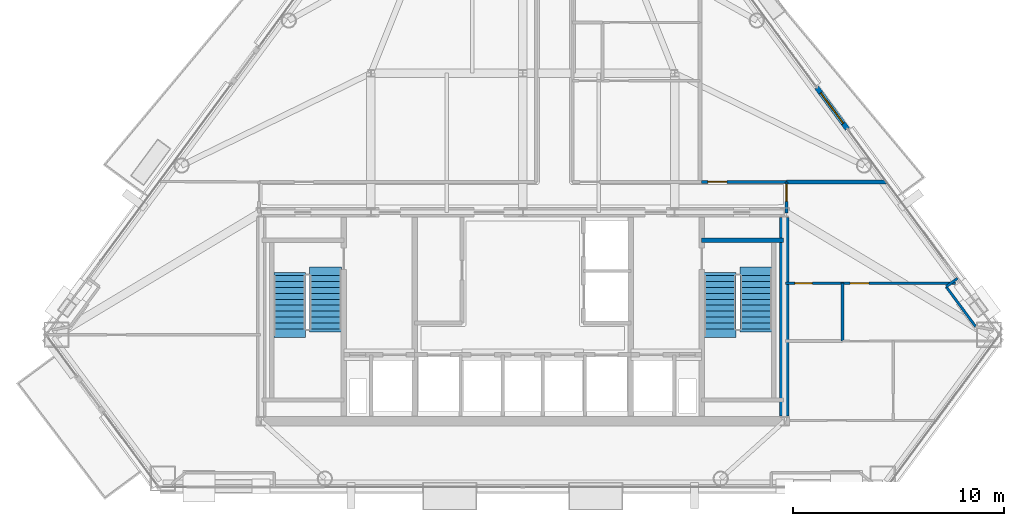
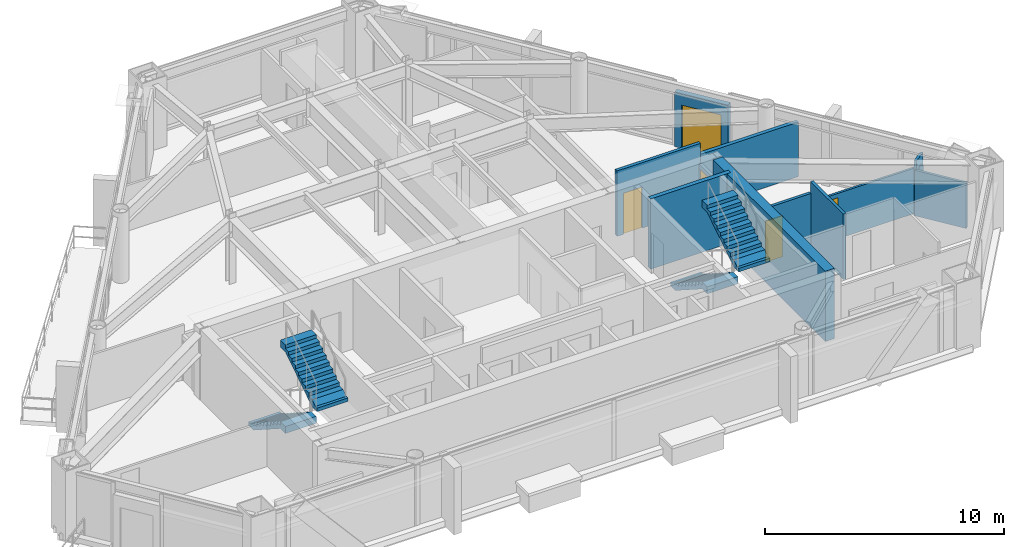
# One storey, part 9 of 11: 11 walls, 5 doors, 4 stair flights, 5 openings, 2 elements without a shape of their own.
"""IFC4 building model written with IfcOpenShell, lengths in metres."""

from ifc_helpers import new_model, si_unit, direction, frame, frame_2d, origin, place, context, subcontext, project, spatial, polyline, rectangle, outline, extrude, material, layer, layer_set, type_object, element, fill, aggregate, save


model = new_model("IFC4")

# Units and contexts
model_context = context("Model", 3, precision=1e-05, world=origin(), true_north=direction((0.0, 1.0)))
body_context = subcontext(model_context, "Body", "Model", "MODEL_VIEW")
ifc_project = project(units=[si_unit("LENGTHUNIT", "METRE"), si_unit("AREAUNIT", "SQUARE_METRE"), si_unit("VOLUMEUNIT", "CUBIC_METRE"), si_unit("PLANEANGLEUNIT", "RADIAN"), si_unit("MASSUNIT", "GRAM", prefix="KILO")], contexts=[model_context])

# Site, building, storey
site_placement = place(None, origin())
site = spatial("IfcSite", under=ifc_project, at=site_placement, CompositionType="ELEMENT")
building_placement = place(site_placement, origin())
building = spatial("IfcBuilding", under=site, at=building_placement, Name="Talgorran Terracotta Tower", CompositionType="ELEMENT")
storey_placement = place(building_placement, frame((0.0, 0.0, 129.300048828125)))
storey = spatial("IfcBuildingStorey", under=building, at=storey_placement, Name="L33", CompositionType="ELEMENT", Elevation=129.300048828125)

# Wall, opening, door
ifc_material_1 = material(Name="Concrete C40/50", Category="concrete")
ifc_layer_1 = layer(ifc_material_1, 0.239990234375, Name="WT_BALCONY_SPAND")
ifc_layer_set_1 = layer_set([ifc_layer_1], Name="Concrete C40/50")
wall_type_1 = type_object("IfcWallType", Name="WT_BALCONY_SPAND", PredefinedType="STANDARD", material=ifc_layer_set_1)
wall_1_placement = place(storey_placement, frame((15.38427734375, -0.24560546875, -0.01513671875), z_axis=(0.0, 0.0, 1.0), x_axis=(-0.594317914364, 0.804230201289, 0.0)))
wall_1 = element("IfcWall", 1, at=wall_1_placement, inside=storey, type_object=wall_type_1, Name="WL-L33-BALP-BAL-NE", PredefinedType="STANDARD", context=body_context, shape_type="SweptSolid", body=[
    extrude(rectangle(XDim=2.440185546875, YDim=0.239990234375, at=frame_2d((1.22021484375, 0.0))), origin(), (0.0, 0.0, 1.0), 2.80712890625),
])
opening_1_placement = place(wall_1_placement, frame((0.320068359375, 0.0, 0.014892578125)))
opening_1 = element("IfcOpeningElement", 2, at=opening_1_placement, cuts=wall_1, Name="Opening D-BAL-L33-1", PredefinedType="OPENING", context=body_context, shape_type="SweptSolid", body=[
    extrude(rectangle(XDim=1.806048828125, YDim=2.203951171875, at=frame_2d((0.89990234375, 1.10205078125))), frame((0.0, 0.1298828125, 0.0), z_axis=(0.0, -1.0, 0.0), x_axis=(1.0, 0.0, 0.0)), (0.0, 0.0, 1.0), 0.260009765625),
])
ifc_material_2 = material(Name="Thermally Broken Aluminium", Category="aluminium")
door_type_1 = type_object("IfcDoorType", Name="DT_BALC_1800", OperationType="SLIDING_TO_LEFT", PredefinedType="DOOR", material=ifc_material_2)
door_1_placement = place(opening_1_placement, origin())
door_1 = element("IfcDoor", 3, at=door_1_placement, inside=storey, type_object=door_type_1, Name="DR-L33-BAL-BAL-NE", OperationType="SLIDING_TO_LEFT", OverallHeight=2.199951171875, OverallWidth=1.800048828125, PredefinedType="DOOR", context=body_context, shape_type="SweptSolid", body=[
    extrude(rectangle(XDim=1.800048828125, YDim=2.199951171875, at=frame_2d((0.89990234375, 1.10009765625))), frame((0.0, 0.02490234375, 0.0), z_axis=(0.0, -1.0, 0.0), x_axis=(1.0, 0.0, 0.0)), (0.0, 0.0, 1.0), 0.050048828125),
])
fill(opening_1, door_1)

# Walls
ifc_material_3 = material(Name="Concrete C50/60", Category="concrete")
ifc_layer_2 = layer(ifc_material_3, 0.199951171875, Name="WT_CORE_200")
ifc_layer_set_2 = layer_set([ifc_layer_2], Name="Concrete C50/60")
wall_type_2 = type_object("IfcWallType", Name="WT_CORE_200", PredefinedType="SOLIDWALL", material=ifc_layer_set_2)
wall_2_placement = place(storey_placement, frame((8.47998046875, -5.52001953125, 0.0), z_axis=(0.0, 0.0, 1.0), x_axis=(1.0, 0.0, 0.0)))
element("IfcWall", 4, at=wall_2_placement, inside=storey, type_object=wall_type_2, Name="WL-L33-CW-ST2-N", PredefinedType="SOLIDWALL", context=body_context, shape_type="SweptSolid", body=[
    extrude(rectangle(XDim=3.8701171875, YDim=0.199951171875, at=frame_2d((1.93505859375, 0.0))), origin(), (0.0, 0.0, 1.0), 3.599853515625),
])
ifc_material_4 = material(Name="Concrete C65/80", Category="concrete")
ifc_layer_3 = layer(ifc_material_4, 0.449951171875, Name="WT_CORE_EXT")
ifc_layer_set_3 = layer_set([ifc_layer_3], Name="Concrete C65/80")
wall_type_3 = type_object("IfcWallType", Name="WT_CORE_EXT", PredefinedType="SHEAR", material=ifc_layer_set_3)
wall_3_placement = place(storey_placement, frame((12.39990234375, -13.85009765625, 0.0), z_axis=(0.0, 0.0, 1.0), x_axis=(0.0, 1.0, 0.0)))
element("IfcWall", 5, at=wall_3_placement, inside=storey, type_object=wall_type_3, Name="WL-L33-CW-OUT-E", PredefinedType="SHEAR", context=body_context, shape_type="SweptSolid", body=[
    extrude(rectangle(XDim=9.400146484375, YDim=0.449951171875, at=frame_2d((4.7001953125, 0.0))), origin(), (0.0, 0.0, 1.0), 3.599853515625),
])

# Wall, opening, door
ifc_material_5 = material(Name="Fire-Rated Steel Stud Plasterboard", Category="steel")
ifc_layer_4 = layer(ifc_material_5, 0.14990234375, Name="WT_FIRE_150")
ifc_layer_set_4 = layer_set([ifc_layer_4], Name="Fire-Rated Steel Stud Plasterboard")
wall_type_4 = type_object("IfcWallType", Name="WT_FIRE_150", PredefinedType="PARTITIONING", material=ifc_layer_set_4)
wall_4_placement = place(storey_placement, frame((8.4619140625, -2.760009765625, 0.0), z_axis=(0.0, 0.0, 1.0), x_axis=(1.0, 0.0, 0.0)))
wall_4 = element("IfcWall", 6, at=wall_4_placement, inside=storey, type_object=wall_type_4, Name="WL-L33-W-L33-R12", PredefinedType="PARTITIONING", context=body_context, shape_type="SweptSolid", body=[
    extrude(rectangle(XDim=4.0380859375, YDim=0.14990234375, at=frame_2d((2.01904296875, 0.0))), origin(), (0.0, 0.0, 1.0), 3.349853515625),
])
opening_2_placement = place(wall_4_placement, frame((0.31591796875, 0.0, 0.0)))
opening_2 = element("IfcOpeningElement", 7, at=opening_2_placement, cuts=wall_4, Name="Opening DR-L33-R13", PredefinedType="OPENING", context=body_context, shape_type="SweptSolid", body=[
    extrude(rectangle(XDim=0.90590234375, YDim=2.10409765625, at=frame_2d((0.449951171875, 1.052001953125))), frame((0.0, 0.0849609375, 0.0), z_axis=(0.0, -1.0, 0.0), x_axis=(1.0, 0.0, 0.0)), (0.0, 0.0, 1.0), 0.169921875),
])
ifc_material_6 = material(Name="Fire-Rated Timber Core", Category="wood")
door_type_2 = type_object("IfcDoorType", Name="DT_FIRE_900", OperationType="NOTDEFINED", PredefinedType="DOOR", material=ifc_material_6)
door_2_placement = place(opening_2_placement, origin())
door_2 = element("IfcDoor", 8, at=door_2_placement, inside=storey, type_object=door_type_2, Name="DR-L33-R13", OperationType="SINGLE_SWING_LEFT", OverallHeight=2.10009765625, OverallWidth=0.89990234375, PredefinedType="DOOR", context=body_context, shape_type="SweptSolid", body=[
    extrude(rectangle(XDim=0.89990234375, YDim=2.10009765625, at=frame_2d((0.449951171875, 1.050048828125))), frame((0.0, 0.02490234375, 0.0), z_axis=(0.0, -1.0, 0.0), x_axis=(1.0, 0.0, 0.0)), (0.0, 0.0, 1.0), 0.050048828125),
])
fill(opening_2, door_2)

wall_5_placement = place(storey_placement, frame((12.5, -4.239990234375, 0.0), z_axis=(0.0, 0.0, 1.0), x_axis=(0.0, 1.0, 0.0)))
wall_5 = element("IfcWall", 9, at=wall_5_placement, inside=storey, type_object=wall_type_4, Name="WL-L33-W-L33-R01", PredefinedType="PARTITIONING", context=body_context, shape_type="SweptSolid", body=[
    extrude(rectangle(XDim=1.47998046875, YDim=0.14990234375, at=frame_2d((0.739990234375, 0.0))), origin(), (0.0, 0.0, 1.0), 2.324951171875),
])
opening_3_placement = place(wall_5_placement, frame((0.56005859375, 0.0, 0.0)))
opening_3 = element("IfcOpeningElement", 10, at=opening_3_placement, cuts=wall_5, Name="Opening DR-L33-R01", PredefinedType="OPENING", context=body_context, shape_type="SweptSolid", body=[
    extrude(rectangle(XDim=0.826068359375, YDim=2.10409765625, at=frame_2d((0.41015625, 1.052001953125))), frame((0.0, 0.0849609375, 0.0), z_axis=(0.0, -1.0, 0.0), x_axis=(1.0, 0.0, 0.0)), (0.0, 0.0, 1.0), 0.169921875),
])
ifc_material_7 = material(Name="Moisture-Resistant Solid Timber", Category="wood")
door_type_3 = type_object("IfcDoorType", Name="DT_INT_820", OperationType="NOTDEFINED", PredefinedType="DOOR", material=ifc_material_7)
door_3_placement = place(opening_3_placement, origin())
door_3 = element("IfcDoor", 11, at=door_3_placement, inside=storey, type_object=door_type_3, Name="DR-L33-R01", OperationType="SINGLE_SWING_LEFT", OverallHeight=2.10009765625, OverallWidth=0.820068359375, PredefinedType="DOOR", context=body_context, shape_type="SweptSolid", body=[
    extrude(rectangle(XDim=0.820068359375, YDim=2.10009765625, at=frame_2d((0.41015625, 1.050048828125))), frame((0.0, 0.02490234375, 0.0), z_axis=(0.0, -1.0, 0.0), x_axis=(1.0, 0.0, 0.0)), (0.0, 0.0, 1.0), 0.050048828125),
])
fill(opening_3, door_3)

# Wall
ifc_material_8 = material(Name="Acoustic Stud and Plasterboard")
ifc_layer_5 = layer(ifc_material_8, 0.179931640625, Name="WT_PARTY_200")
ifc_layer_set_5 = layer_set([ifc_layer_5], Name="Acoustic Stud and Plasterboard")
wall_type_5 = type_object("IfcWallType", Name="WT_PARTY_200", PredefinedType="PARTITIONING", material=ifc_layer_set_5)
wall_6_placement = place(storey_placement, frame((12.5, -2.760009765625, 0.0), z_axis=(0.0, 0.0, 1.0), x_axis=(1.0, 0.0, 0.0)))
element("IfcWall", 12, at=wall_6_placement, inside=storey, type_object=wall_type_5, Name="WL-L33-W-L33-R16", PredefinedType="PARTITIONING", context=body_context, shape_type="SweptSolid", body=[
    extrude(rectangle(XDim=4.74267578125, YDim=0.179931640625, at=frame_2d((2.371337890625, 0.0))), origin(), (0.0, 0.0, 1.0), 2.7919921875),
])

# Wall, opening, door
ifc_material_9 = material(Name="Lightweight Steel Stud Partition", Category="steel")
ifc_layer_6 = layer(ifc_material_9, 0.10498046875, Name="WT_PART_110")
ifc_layer_set_6 = layer_set([ifc_layer_6], Name="Lightweight Steel Stud Partition")
wall_type_6 = type_object("IfcWallType", Name="WT_PART_110", PredefinedType="PARTITIONING", material=ifc_layer_set_6)
wall_7_placement = place(storey_placement, frame((15.080078125, -7.56005859375, 0.0), z_axis=(0.0, 0.0, 1.0), x_axis=(1.0, 0.0, 0.0)))
wall_7 = element("IfcWall", 13, at=wall_7_placement, inside=storey, type_object=wall_type_6, Name="WL-L33-W-L33-R15", PredefinedType="PARTITIONING", context=body_context, shape_type="SweptSolid", body=[
    extrude(rectangle(XDim=5.43994140625, YDim=0.10498046875, at=frame_2d((2.719970703125, 0.0))), origin(), (0.0, 0.0, 1.0), 2.324951171875),
])
opening_4_placement = place(wall_7_placement, frame((0.4384765625, 0.0, 0.0)))
opening_4 = element("IfcOpeningElement", 14, at=opening_4_placement, cuts=wall_7, Name="Opening DR-L33-R03", PredefinedType="OPENING", context=body_context, shape_type="SweptSolid", body=[
    extrude(rectangle(XDim=0.8858828125, YDim=2.10409765625, at=frame_2d((0.43994140625, 1.052001953125))), frame((0.0, 0.0625, 0.0), z_axis=(0.0, -1.0, 0.0), x_axis=(1.0, 0.0, 0.0)), (0.0, 0.0, 1.0), 0.125),
])
ifc_material_10 = material(Name="Solid-Core Painted Timber", Category="wood")
door_type_4 = type_object("IfcDoorType", Name="DT_INT_880", OperationType="NOTDEFINED", PredefinedType="DOOR", material=ifc_material_10)
door_4_placement = place(opening_4_placement, origin())
door_4 = element("IfcDoor", 15, at=door_4_placement, inside=storey, type_object=door_type_4, Name="DR-L33-R03", OperationType="SINGLE_SWING_LEFT", OverallHeight=2.10009765625, OverallWidth=0.8798828125, PredefinedType="DOOR", context=body_context, shape_type="SweptSolid", body=[
    extrude(rectangle(XDim=0.8798828125, YDim=2.10009765625, at=frame_2d((0.43994140625, 1.050048828125))), frame((0.0, 0.02490234375, 0.0), z_axis=(0.0, -1.0, 0.0), x_axis=(1.0, 0.0, 0.0)), (0.0, 0.0, 1.0), 0.050048828125),
])
fill(opening_4, door_4)

# Walls
ifc_material_11 = material(Name="Insulated Steel Stud Plasterboard", Category="steel")
ifc_layer_7 = layer(ifc_material_11, 0.1201171875, Name="WT_PART_120")
ifc_layer_set_7 = layer_set([ifc_layer_7], Name="Insulated Steel Stud Plasterboard")
wall_type_7 = type_object("IfcWallType", Name="WT_PART_120", PredefinedType="PARTITIONING", material=ifc_layer_set_7)
wall_8_placement = place(storey_placement, frame((21.463623046875, -9.615234375, 0.0), z_axis=(0.0, 0.0, 1.0), x_axis=(-0.594385220585, 0.804180458324, 0.0)))
element("IfcWall", 16, at=wall_8_placement, inside=storey, type_object=wall_type_7, Name="WL-L33-BW-L33-12", PredefinedType="PARTITIONING", context=body_context, shape_type="SweptSolid", body=[
    extrude(rectangle(XDim=2.3505859375, YDim=0.1201171875, at=frame_2d((1.17529296875, 0.0))), origin(), (0.0, 0.0, 1.0), 2.324951171875),
])
wall_9_placement = place(storey_placement, frame((20.06640625, -7.724853515625, 0.0), z_axis=(0.0, 0.0, 1.0), x_axis=(0.804047409182, 0.594565188847, 0.0)))
element("IfcWall", 17, at=wall_9_placement, inside=storey, type_object=wall_type_7, Name="WL-L33-BW-L33-10", PredefinedType="PARTITIONING", context=body_context, shape_type="SweptSolid", body=[
    extrude(rectangle(XDim=0.670166015625, YDim=0.1201171875, at=frame_2d((0.3349609375, 0.0))), origin(), (0.0, 0.0, 1.0), 2.7919921875),
])

# Wall, opening, door
ifc_material_12 = material(Name="Moisture-Resistant Stud Wall")
ifc_layer_8 = layer(ifc_material_12, 0.135009765625, Name="WT_PART_135")
ifc_layer_set_8 = layer_set([ifc_layer_8], Name="Moisture-Resistant Stud Wall")
wall_type_8 = type_object("IfcWallType", Name="WT_PART_135", PredefinedType="PARTITIONING", material=ifc_layer_set_8)
wall_10_placement = place(storey_placement, frame((12.43994140625, -7.56005859375, 0.0), z_axis=(0.0, 0.0, 1.0), x_axis=(1.0, 0.0, 0.0)))
wall_10 = element("IfcWall", 18, at=wall_10_placement, inside=storey, type_object=wall_type_8, Name="WL-L33-W-L33-R14", PredefinedType="PARTITIONING", context=body_context, shape_type="SweptSolid", body=[
    extrude(rectangle(XDim=2.637939453125, YDim=0.135009765625, at=frame_2d((1.31884765625, 0.0))), origin(), (0.0, 0.0, 1.0), 2.7919921875),
])
opening_5_placement = place(wall_10_placement, frame((0.457763671875, 0.0, 0.0)))
opening_5 = element("IfcOpeningElement", 19, at=opening_5_placement, cuts=wall_10, Name="Opening DR-L33-R02", PredefinedType="OPENING", context=body_context, shape_type="SweptSolid", body=[
    extrude(rectangle(XDim=0.826068359375, YDim=2.10409765625, at=frame_2d((0.41015625, 1.052001953125))), frame((0.0, 0.07763671875, 0.0), z_axis=(0.0, -1.0, 0.0), x_axis=(1.0, 0.0, 0.0)), (0.0, 0.0, 1.0), 0.155029296875),
])
door_5_placement = place(opening_5_placement, origin())
door_5 = element("IfcDoor", 20, at=door_5_placement, inside=storey, type_object=door_type_3, Name="DR-L33-R02", OperationType="SINGLE_SWING_RIGHT", OverallHeight=2.10009765625, OverallWidth=0.820068359375, PredefinedType="DOOR", context=body_context, shape_type="SweptSolid", body=[
    extrude(rectangle(XDim=0.820068359375, YDim=2.10009765625, at=frame_2d((0.41015625, 1.050048828125))), frame((0.0, 0.02490234375, 0.0), z_axis=(0.0, -1.0, 0.0), x_axis=(1.0, 0.0, 0.0)), (0.0, 0.0, 1.0), 0.050048828125),
])
fill(opening_5, door_5)

# Wall
wall_11_placement = place(storey_placement, frame((15.159912109375, -10.300048828125, 0.0), z_axis=(0.0, 0.0, 1.0), x_axis=(0.0, 1.0, 0.0)))
element("IfcWall", 21, at=wall_11_placement, inside=storey, type_object=wall_type_8, Name="WL-L33-W-L33-R17", PredefinedType="PARTITIONING", context=body_context, shape_type="SweptSolid", body=[
    extrude(rectangle(XDim=2.739990234375, YDim=0.135009765625, at=frame_2d((1.3701171875, 0.0))), origin(), (0.0, 0.0, 1.0), 3.349853515625),
])

# Stair, stair flights
stair_type = type_object("IfcStairType", Name="ST_FIRE_SCISSOR", PredefinedType="HALF_TURN_STAIR", material=ifc_material_1)
stair_1_placement = place(storey_placement, origin())
stair_1 = element("IfcStair", 22, at=stair_1_placement, inside=storey, type_object=stair_type, Name="L33 West Protected Fire Stair ST-01", PredefinedType="HALF_TURN_STAIR")
ifc_layer_9 = layer(ifc_material_1, 0.179931640625, Name="STF_RC_1500")
ifc_layer_set_9 = layer_set([ifc_layer_9], Name="Concrete C40/50")
stair_flight_type = type_object("IfcStairFlightType", Name="STF_RC_1500", PredefinedType="STRAIGHT", material=ifc_layer_set_9)
stair_flight_1_placement = place(storey_placement, frame((-11.050048828125, -7.199951171875, 0.0), z_axis=(0.0, 0.0, 1.0), x_axis=(0.0, -1.0, 0.0)))
stair_flight_1 = element("IfcStairFlight", 23, at=stair_flight_1_placement, type_object=stair_flight_type, Name="ST-01 flight 1", NumberOfRisers=10, NumberOfTreads=9, PredefinedType="STRAIGHT", RiserHeight=0.18, TreadLength=0.28, context=body_context, shape_type="SweptSolid", body=[
    extrude(outline(polyline([(-0.139892578125, 0.0), (-0.139892578125, 0.179931640625), (0.0, 0.179931640625), (0.280029296875, 0.360107421875), (0.56005859375, 0.360107421875), (0.56005859375, 0.5400390625), (0.840087890625, 0.5400390625), (0.840087890625, 0.719970703125), (1.1201171875, 0.719970703125), (1.1201171875, 0.89990234375), (1.39990234375, 0.89990234375), (1.39990234375, 1.080078125), (1.679931640625, 1.080078125), (1.679931640625, 1.260009765625), (1.9599609375, 1.260009765625), (1.9599609375, 1.43994140625), (2.239990234375, 1.43994140625), (2.239990234375, 1.6201171875), (2.52001953125, 1.6201171875), (2.52001953125, 1.800048828125), (2.93994140625, 1.800048828125), (2.93994140625, 1.44189453125), (2.52001953125, 1.44189453125), (0.277099609375, 0.0), (-0.139892578125, 0.0)])), frame((0.0, 0.75, 0.0), z_axis=(0.0, -1.0, 0.0), x_axis=(1.0, 0.0, 0.0)), (0.0, 0.0, 1.0), 1.5),
])
stair_flight_2_placement = place(storey_placement, frame((-9.35009765625, -9.719970703125, 1.800048828125), z_axis=(0.0, 0.0, 1.0), x_axis=(0.0, 1.0, 0.0)))
stair_flight_2 = element("IfcStairFlight", 24, at=stair_flight_2_placement, type_object=stair_flight_type, Name="ST-01 flight 2", NumberOfRisers=10, NumberOfTreads=9, PredefinedType="STRAIGHT", RiserHeight=0.18, TreadLength=0.28, context=body_context, shape_type="SweptSolid", body=[
    extrude(outline(polyline([(-0.139892578125, 0.0), (-0.139892578125, 0.179931640625), (0.0, 0.179931640625), (0.280029296875, 0.360107421875), (0.56005859375, 0.360107421875), (0.56005859375, 0.5400390625), (0.840087890625, 0.5400390625), (0.840087890625, 0.719970703125), (1.1201171875, 0.719970703125), (1.1201171875, 0.89990234375), (1.39990234375, 0.89990234375), (1.39990234375, 1.080078125), (1.679931640625, 1.080078125), (1.679931640625, 1.260009765625), (1.9599609375, 1.260009765625), (1.9599609375, 1.43994140625), (2.239990234375, 1.43994140625), (2.239990234375, 1.6201171875), (2.52001953125, 1.6201171875), (2.52001953125, 1.800048828125), (2.93994140625, 1.800048828125), (2.93994140625, 1.44189453125), (2.52001953125, 1.44189453125), (0.277099609375, 0.0), (-0.139892578125, 0.0)])), frame((0.0, 0.75, 0.0), z_axis=(0.0, -1.0, 0.0), x_axis=(1.0, 0.0, 0.0)), (0.0, 0.0, 1.0), 1.5),
])
aggregate(stair_1, [stair_flight_1, stair_flight_2])

stair_2_placement = place(storey_placement, origin())
stair_2 = element("IfcStair", 25, at=stair_2_placement, inside=storey, type_object=stair_type, Name="L33 East Protected Fire Stair ST-02", PredefinedType="HALF_TURN_STAIR")
stair_flight_3_placement = place(storey_placement, frame((9.35009765625, -7.199951171875, 0.0), z_axis=(0.0, 0.0, 1.0), x_axis=(0.0, -1.0, 0.0)))
stair_flight_3 = element("IfcStairFlight", 26, at=stair_flight_3_placement, type_object=stair_flight_type, Name="ST-02 flight 1", NumberOfRisers=10, NumberOfTreads=9, PredefinedType="STRAIGHT", RiserHeight=0.18, TreadLength=0.28, context=body_context, shape_type="SweptSolid", body=[
    extrude(outline(polyline([(-0.139892578125, 0.0), (-0.139892578125, 0.179931640625), (0.0, 0.179931640625), (0.280029296875, 0.360107421875), (0.56005859375, 0.360107421875), (0.56005859375, 0.5400390625), (0.840087890625, 0.5400390625), (0.840087890625, 0.719970703125), (1.1201171875, 0.719970703125), (1.1201171875, 0.89990234375), (1.39990234375, 0.89990234375), (1.39990234375, 1.080078125), (1.679931640625, 1.080078125), (1.679931640625, 1.260009765625), (1.9599609375, 1.260009765625), (1.9599609375, 1.43994140625), (2.239990234375, 1.43994140625), (2.239990234375, 1.6201171875), (2.52001953125, 1.6201171875), (2.52001953125, 1.800048828125), (2.93994140625, 1.800048828125), (2.93994140625, 1.44189453125), (2.52001953125, 1.44189453125), (0.277099609375, 0.0), (-0.139892578125, 0.0)])), frame((0.0, 0.75, 0.0), z_axis=(0.0, -1.0, 0.0), x_axis=(1.0, 0.0, 0.0)), (0.0, 0.0, 1.0), 1.5),
])
stair_flight_4_placement = place(storey_placement, frame((11.050048828125, -9.719970703125, 1.800048828125), z_axis=(0.0, 0.0, 1.0), x_axis=(0.0, 1.0, 0.0)))
stair_flight_4 = element("IfcStairFlight", 27, at=stair_flight_4_placement, type_object=stair_flight_type, Name="ST-02 flight 2", NumberOfRisers=10, NumberOfTreads=9, PredefinedType="STRAIGHT", RiserHeight=0.18, TreadLength=0.28, context=body_context, shape_type="SweptSolid", body=[
    extrude(outline(polyline([(-0.139892578125, 0.0), (-0.139892578125, 0.179931640625), (0.0, 0.179931640625), (0.280029296875, 0.360107421875), (0.56005859375, 0.360107421875), (0.56005859375, 0.5400390625), (0.840087890625, 0.5400390625), (0.840087890625, 0.719970703125), (1.1201171875, 0.719970703125), (1.1201171875, 0.89990234375), (1.39990234375, 0.89990234375), (1.39990234375, 1.080078125), (1.679931640625, 1.080078125), (1.679931640625, 1.260009765625), (1.9599609375, 1.260009765625), (1.9599609375, 1.43994140625), (2.239990234375, 1.43994140625), (2.239990234375, 1.6201171875), (2.52001953125, 1.6201171875), (2.52001953125, 1.800048828125), (2.93994140625, 1.800048828125), (2.93994140625, 1.44189453125), (2.52001953125, 1.44189453125), (0.277099609375, 0.0), (-0.139892578125, 0.0)])), frame((0.0, 0.75, 0.0), z_axis=(0.0, -1.0, 0.0), x_axis=(1.0, 0.0, 0.0)), (0.0, 0.0, 1.0), 1.5),
])
aggregate(stair_2, [stair_flight_3, stair_flight_4])

save(model, "model.ifc")
